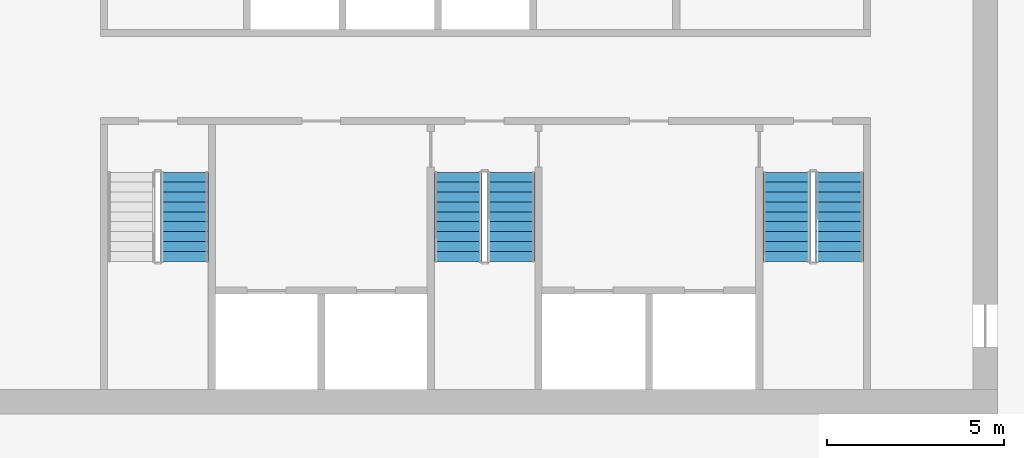
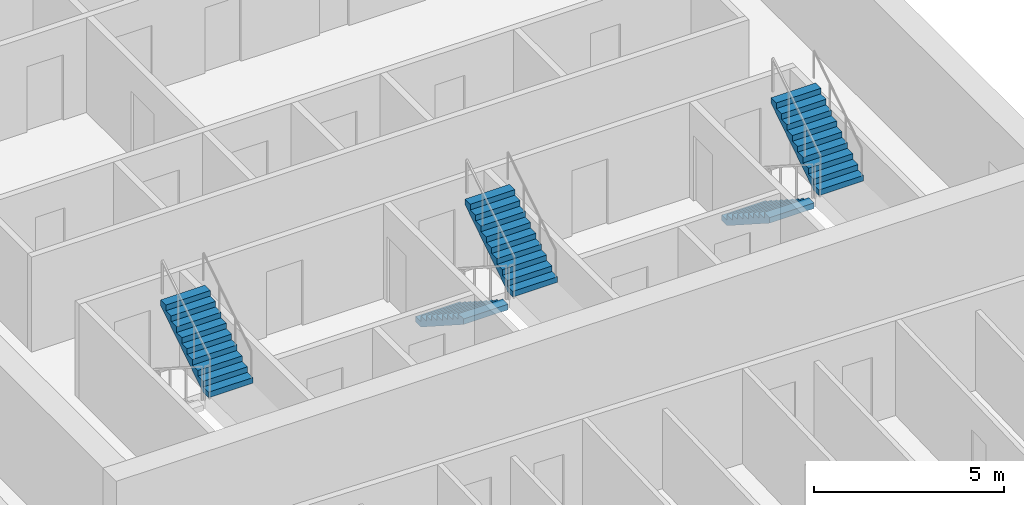
# One storey, part 13 of 17: 5 stair flights, 3 elements without a shape of their own.
"""IFC4 building model written with IfcOpenShell, lengths in metres."""

from ifc_helpers import new_model, si_unit, direction, frame, origin, place, context, subcontext, project, spatial, polyline, outline, extrude, material, type_object, element, aggregate, save


model = new_model("IFC4")

# Units and contexts
model_context = context("Model", 3, precision=1e-05, world=origin(), true_north=direction((0.0, 1.0)))
body_context = subcontext(model_context, "Body", "Model", "MODEL_VIEW")
ifc_project = project(units=[si_unit("LENGTHUNIT", "METRE"), si_unit("AREAUNIT", "SQUARE_METRE"), si_unit("VOLUMEUNIT", "CUBIC_METRE"), si_unit("PLANEANGLEUNIT", "RADIAN"), si_unit("MASSUNIT", "GRAM", prefix="KILO")], contexts=[model_context])

# Site, building, storey
site_placement = place(None, origin())
site = spatial("IfcSite", under=ifc_project, at=site_placement, CompositionType="ELEMENT")
building_placement = place(site_placement, origin())
building = spatial("IfcBuilding", under=site, at=building_placement, Name="Mangrove Gate Tower", CompositionType="ELEMENT")
storey_placement = place(building_placement, frame((0.0, 0.0, 271.699951171875)))
storey = spatial("IfcBuildingStorey", under=building, at=storey_placement, Name="L69", CompositionType="ELEMENT", Elevation=271.699951171875)

# Stair, stair flight
ifc_material_1 = material(Name="Concrete C40/50", Category="concrete")
stair_type = type_object("IfcStairType", Name="Core stair 1350", PredefinedType="HALF_TURN_STAIR", material=ifc_material_1)
stair_1_placement = place(storey_placement, origin())
stair_1 = element("IfcStair", 1, at=stair_1_placement, inside=storey, type_object=stair_type, Name="L69 Stair 1", PredefinedType="HALF_TURN_STAIR")
ifc_material_2 = material(Name="Concrete C40/50", Category="concrete")
stair_flight_type = type_object("IfcStairFlightType", Name="Core stair flight 1350", PredefinedType="STRAIGHT", material=ifc_material_2)
stair_flight_1_placement = place(storey_placement, frame((-8.52490234375, -7.169921875, 1.800048828125), z_axis=(0.0, 0.0, 1.0), x_axis=(0.0, 1.0, 0.0)))
stair_flight_1 = element("IfcStairFlight", 2, at=stair_flight_1_placement, type_object=stair_flight_type, Name="ST1 flight 2", NumberOfRisers=10, NumberOfTreads=9, PredefinedType="STRAIGHT", RiserHeight=0.18, TreadLength=0.28, context=body_context, shape_type="SweptSolid", body=[
    extrude(outline(polyline([(0.0, 0.0), (0.0, 0.179931640625), (0.280029296875, 0.179931640625), (0.280029296875, 0.360107421875), (0.56005859375, 0.360107421875), (0.56005859375, 0.5400390625), (0.840087890625, 0.5400390625), (0.840087890625, 0.719970703125), (1.1201171875, 0.719970703125), (1.1201171875, 0.89990234375), (1.39990234375, 0.89990234375), (1.39990234375, 1.080078125), (1.679931640625, 1.080078125), (1.679931640625, 1.260009765625), (1.9599609375, 1.260009765625), (1.9599609375, 1.43994140625), (2.239990234375, 1.43994140625), (2.239990234375, 1.6201171875), (2.52001953125, 1.6201171875), (2.52001953125, 1.800048828125), (2.52001953125, 1.44189453125), (0.277099609375, 0.0), (0.0, 0.0)])), frame((0.0, 0.675048828125, 0.0), z_axis=(0.0, -1.0, 0.0), x_axis=(1.0, 0.0, 0.0)), (0.0, 0.0, 1.0), 1.35009765625),
])
aggregate(stair_1, [stair_flight_1])

# Stair, stair flights
stair_2_placement = place(storey_placement, origin())
stair_2 = element("IfcStair", 3, at=stair_2_placement, inside=storey, type_object=stair_type, Name="L69 Stair 2", PredefinedType="HALF_TURN_STAIR")
stair_flight_2_placement = place(storey_placement, frame((-0.77490234375, -4.64990234375, 0.0), z_axis=(0.0, 0.0, 1.0), x_axis=(0.0, -1.0, 0.0)))
stair_flight_2 = element("IfcStairFlight", 4, at=stair_flight_2_placement, type_object=stair_flight_type, Name="ST2 flight 1", NumberOfRisers=10, NumberOfTreads=9, PredefinedType="STRAIGHT", RiserHeight=0.18, TreadLength=0.28, context=body_context, shape_type="SweptSolid", body=[
    extrude(outline(polyline([(0.0, 0.0), (0.0, 0.179931640625), (0.280029296875, 0.179931640625), (0.280029296875, 0.360107421875), (0.56005859375, 0.360107421875), (0.56005859375, 0.5400390625), (0.840087890625, 0.5400390625), (0.840087890625, 0.719970703125), (1.1201171875, 0.719970703125), (1.1201171875, 0.89990234375), (1.39990234375, 0.89990234375), (1.39990234375, 1.080078125), (1.679931640625, 1.080078125), (1.679931640625, 1.260009765625), (1.9599609375, 1.260009765625), (1.9599609375, 1.43994140625), (2.239990234375, 1.43994140625), (2.239990234375, 1.6201171875), (2.52001953125, 1.6201171875), (2.52001953125, 1.800048828125), (2.52001953125, 1.44189453125), (0.277099609375, 0.0), (0.0, 0.0)])), frame((0.0, 0.675048828125, 0.0), z_axis=(0.0, -1.0, 0.0), x_axis=(1.0, 0.0, 0.0)), (0.0, 0.0, 1.0), 1.35009765625),
])
stair_flight_3_placement = place(storey_placement, frame((0.72509765625, -7.169921875, 1.800048828125), z_axis=(0.0, 0.0, 1.0), x_axis=(0.0, 1.0, 0.0)))
stair_flight_3 = element("IfcStairFlight", 5, at=stair_flight_3_placement, type_object=stair_flight_type, Name="ST2 flight 2", NumberOfRisers=10, NumberOfTreads=9, PredefinedType="STRAIGHT", RiserHeight=0.18, TreadLength=0.28, context=body_context, shape_type="SweptSolid", body=[
    extrude(outline(polyline([(0.0, 0.0), (0.0, 0.179931640625), (0.280029296875, 0.179931640625), (0.280029296875, 0.360107421875), (0.56005859375, 0.360107421875), (0.56005859375, 0.5400390625), (0.840087890625, 0.5400390625), (0.840087890625, 0.719970703125), (1.1201171875, 0.719970703125), (1.1201171875, 0.89990234375), (1.39990234375, 0.89990234375), (1.39990234375, 1.080078125), (1.679931640625, 1.080078125), (1.679931640625, 1.260009765625), (1.9599609375, 1.260009765625), (1.9599609375, 1.43994140625), (2.239990234375, 1.43994140625), (2.239990234375, 1.6201171875), (2.52001953125, 1.6201171875), (2.52001953125, 1.800048828125), (2.52001953125, 1.44189453125), (0.277099609375, 0.0), (0.0, 0.0)])), frame((0.0, 0.675048828125, 0.0), z_axis=(0.0, -1.0, 0.0), x_axis=(1.0, 0.0, 0.0)), (0.0, 0.0, 1.0), 1.35009765625),
])
aggregate(stair_2, [stair_flight_2, stair_flight_3])

stair_3_placement = place(storey_placement, origin())
stair_3 = element("IfcStair", 6, at=stair_3_placement, inside=storey, type_object=stair_type, Name="L69 Stair 3", PredefinedType="HALF_TURN_STAIR")
stair_flight_4_placement = place(storey_placement, frame((8.52490234375, -4.64990234375, 0.0), z_axis=(0.0, 0.0, 1.0), x_axis=(0.0, -1.0, 0.0)))
stair_flight_4 = element("IfcStairFlight", 7, at=stair_flight_4_placement, type_object=stair_flight_type, Name="ST3 flight 1", NumberOfRisers=10, NumberOfTreads=9, PredefinedType="STRAIGHT", RiserHeight=0.18, TreadLength=0.28, context=body_context, shape_type="SweptSolid", body=[
    extrude(outline(polyline([(0.0, 0.0), (0.0, 0.179931640625), (0.280029296875, 0.179931640625), (0.280029296875, 0.360107421875), (0.56005859375, 0.360107421875), (0.56005859375, 0.5400390625), (0.840087890625, 0.5400390625), (0.840087890625, 0.719970703125), (1.1201171875, 0.719970703125), (1.1201171875, 0.89990234375), (1.39990234375, 0.89990234375), (1.39990234375, 1.080078125), (1.679931640625, 1.080078125), (1.679931640625, 1.260009765625), (1.9599609375, 1.260009765625), (1.9599609375, 1.43994140625), (2.239990234375, 1.43994140625), (2.239990234375, 1.6201171875), (2.52001953125, 1.6201171875), (2.52001953125, 1.800048828125), (2.52001953125, 1.44189453125), (0.277099609375, 0.0), (0.0, 0.0)])), frame((0.0, 0.675048828125, 0.0), z_axis=(0.0, -1.0, 0.0), x_axis=(1.0, 0.0, 0.0)), (0.0, 0.0, 1.0), 1.35009765625),
])
stair_flight_5_placement = place(storey_placement, frame((10.02490234375, -7.169921875, 1.800048828125), z_axis=(0.0, 0.0, 1.0), x_axis=(0.0, 1.0, 0.0)))
stair_flight_5 = element("IfcStairFlight", 8, at=stair_flight_5_placement, type_object=stair_flight_type, Name="ST3 flight 2", NumberOfRisers=10, NumberOfTreads=9, PredefinedType="STRAIGHT", RiserHeight=0.18, TreadLength=0.28, context=body_context, shape_type="SweptSolid", body=[
    extrude(outline(polyline([(0.0, 0.0), (0.0, 0.179931640625), (0.280029296875, 0.179931640625), (0.280029296875, 0.360107421875), (0.56005859375, 0.360107421875), (0.56005859375, 0.5400390625), (0.840087890625, 0.5400390625), (0.840087890625, 0.719970703125), (1.1201171875, 0.719970703125), (1.1201171875, 0.89990234375), (1.39990234375, 0.89990234375), (1.39990234375, 1.080078125), (1.679931640625, 1.080078125), (1.679931640625, 1.260009765625), (1.9599609375, 1.260009765625), (1.9599609375, 1.43994140625), (2.239990234375, 1.43994140625), (2.239990234375, 1.6201171875), (2.52001953125, 1.6201171875), (2.52001953125, 1.800048828125), (2.52001953125, 1.44189453125), (0.277099609375, 0.0), (0.0, 0.0)])), frame((0.0, 0.675048828125, 0.0), z_axis=(0.0, -1.0, 0.0), x_axis=(1.0, 0.0, 0.0)), (0.0, 0.0, 1.0), 1.35009765625),
])
aggregate(stair_3, [stair_flight_4, stair_flight_5])

save(model, "model.ifc")
